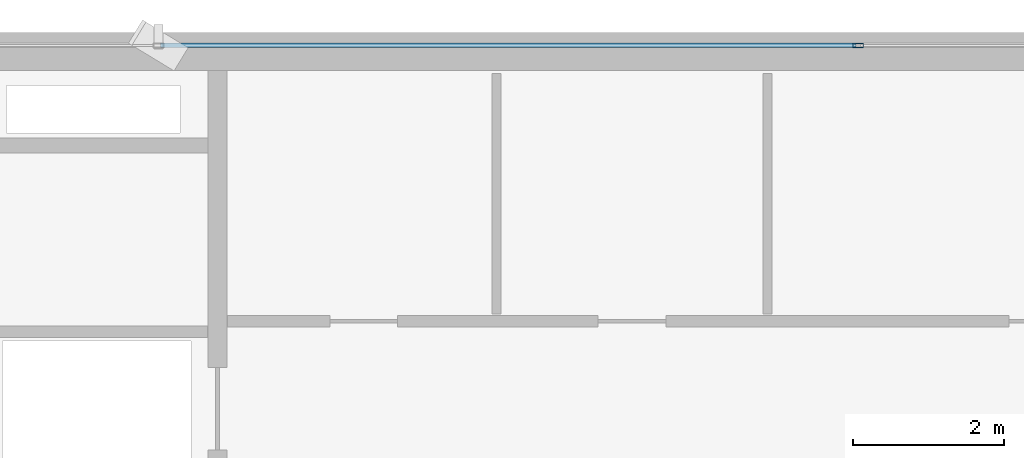
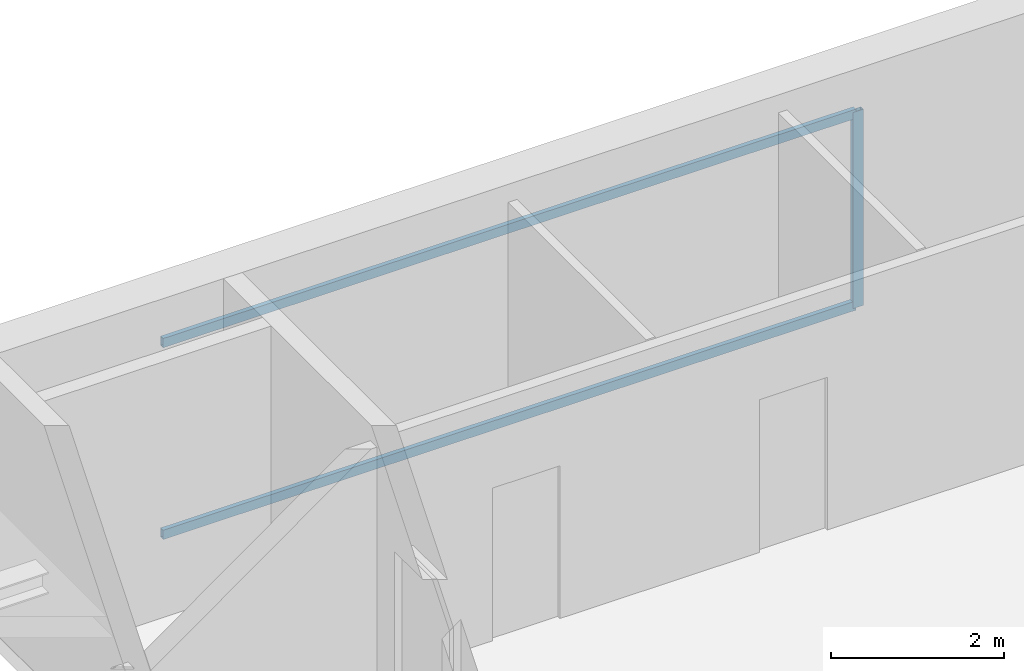
# One storey, part 20 of 30: 3 members, 1 element without a shape of its own.
"""IFC4 building model written with IfcOpenShell, lengths in metres."""

from ifc_helpers import new_model, si_unit, direction, frame, origin, origin_2d, place, context, subcontext, project, spatial, hollow_rectangle, extrude, source, transform, mapped, material, layer, layer_set, material_profile, profile_set, type_object, element, aggregate, save


model = new_model("IFC4")

# Units and contexts
model_context = context("Model", 3, precision=1e-05, world=origin(), true_north=direction((0.0, 1.0)))
body_context = subcontext(model_context, "Body", "Model", "MODEL_VIEW")
ifc_project = project(units=[si_unit("LENGTHUNIT", "METRE"), si_unit("AREAUNIT", "SQUARE_METRE"), si_unit("VOLUMEUNIT", "CUBIC_METRE"), si_unit("PLANEANGLEUNIT", "RADIAN"), si_unit("MASSUNIT", "GRAM", prefix="KILO")], contexts=[model_context])

# Site, building, storey
site_placement = place(None, origin())
site = spatial("IfcSite", under=ifc_project, at=site_placement, CompositionType="ELEMENT")
building_placement = place(site_placement, origin())
building = spatial("IfcBuilding", under=site, at=building_placement, Name="Sumidabori Civic Tower", CompositionType="ELEMENT")
storey_placement = place(building_placement, frame((0.0, 0.0, 200.0)))
storey = spatial("IfcBuildingStorey", under=building, at=storey_placement, Name="L51", CompositionType="ELEMENT", Elevation=200.0)

# Curtain wall, members
ifc_material = material(Name="Anodised Bronze Aluminium AW-6063-T6", Category="aluminium")
ifc_layer = layer(ifc_material, 0.179931640625, Name="Anodised Bronze Aluminium AW-6063-T6")
ifc_layer_set = layer_set([ifc_layer], Name="Anodised Bronze Aluminium AW-6063-T6")
curtain_wall_type = type_object("IfcCurtainWallType", Name="CW-SYS-5", PredefinedType="NOTDEFINED", material=ifc_layer_set)
curtain_wall_placement = place(storey_placement, origin())
curtain_wall = element("IfcCurtainWall", 1, at=curtain_wall_placement, inside=storey, type_object=curtain_wall_type, Name="Curtain Wall CW:L51:R13", PredefinedType="NOTDEFINED")
ifc_material_profile_1 = material_profile(ifc_material, hollow_rectangle(XDim=0.06005859375, YDim=0.139892578125, WallThickness=0.0048828125, at=origin_2d()), Name="ALU MULLION 140x60")
ifc_profile_set_1 = profile_set([ifc_material_profile_1], Name="Anodised Bronze Aluminium AW-6063-T6")
member_type_1 = type_object("IfcMemberType", Name="CW-MUL-140", PredefinedType="MULLION", material=ifc_profile_set_1)
shared_shape_1 = source(origin(), body_context, "Body", "SweptSolid", [
    extrude(hollow_rectangle(XDim=0.06005859375, YDim=0.139892578125, WallThickness=0.0048828125, at=origin_2d()), origin(), (0.0, 0.0, 1.0), 2.760009765625),
])
member_1_placement = place(storey_placement, frame((0.0, 23.8798828125, 0.0), z_axis=(0.0, 0.0, 1.0), x_axis=(0.0, -1.0, 0.0)))
member_1 = element("IfcMember", 2, at=member_1_placement, type_object=member_type_1, Name="CW-5 mullion 3", PredefinedType="MULLION", context=body_context, shape_type="MappedRepresentation", body=[
    mapped(shared_shape_1, transform((0.0, 0.0, 0.0), x_axis=(1.0, 0.0, 0.0), y_axis=(0.0, 1.0, 0.0), z_axis=(0.0, 0.0, 1.0), scale=1.0)),
])
ifc_material_profile_2 = material_profile(ifc_material, hollow_rectangle(XDim=0.06005859375, YDim=0.1298828125, WallThickness=0.0048828125, at=origin_2d()), Name="ALU TRANSOM 130x60")
ifc_profile_set_2 = profile_set([ifc_material_profile_2], Name="Anodised Bronze Aluminium AW-6063-T6")
member_type_2 = type_object("IfcMemberType", Name="CW-TRN-130", PredefinedType="USERDEFINED", material=ifc_profile_set_2)
shared_shape_2 = source(origin(), body_context, "Body", "SweptSolid", [
    extrude(hollow_rectangle(XDim=0.06005859375, YDim=0.1298828125, WallThickness=0.0048828125, at=origin_2d()), origin(), (0.0, 0.0, 1.0), 9.224853515625),
])
member_2_placement = place(storey_placement, frame((-0.030029296875, 23.8798828125, 0.030029296875), z_axis=(-1.0, 0.0, 0.0), x_axis=(0.0, -1.0, 0.0)))
member_2 = element("IfcMember", 3, at=member_2_placement, type_object=member_type_2, Name="CW-5 transom 3.1", ObjectType="TRANSOM", PredefinedType="USERDEFINED", context=body_context, shape_type="MappedRepresentation", body=[
    mapped(shared_shape_2, transform((0.0, 0.0, 0.0), x_axis=(1.0, 0.0, 0.0), y_axis=(0.0, 1.0, 0.0), z_axis=(0.0, 0.0, 1.0), scale=1.0)),
])
member_3_placement = place(storey_placement, frame((-0.030029296875, 23.8798828125, 2.72998046875), z_axis=(-1.0, 0.0, 0.0), x_axis=(0.0, -1.0, 0.0)))
member_3 = element("IfcMember", 4, at=member_3_placement, type_object=member_type_2, Name="CW-5 transom 3.2", ObjectType="TRANSOM", PredefinedType="USERDEFINED", context=body_context, shape_type="MappedRepresentation", body=[
    mapped(shared_shape_2, transform((0.0, 0.0, 0.0), x_axis=(1.0, 0.0, 0.0), y_axis=(0.0, 1.0, 0.0), z_axis=(0.0, 0.0, 1.0), scale=1.0)),
])
aggregate(curtain_wall, [member_1, member_2, member_3])

save(model, "model.ifc")
